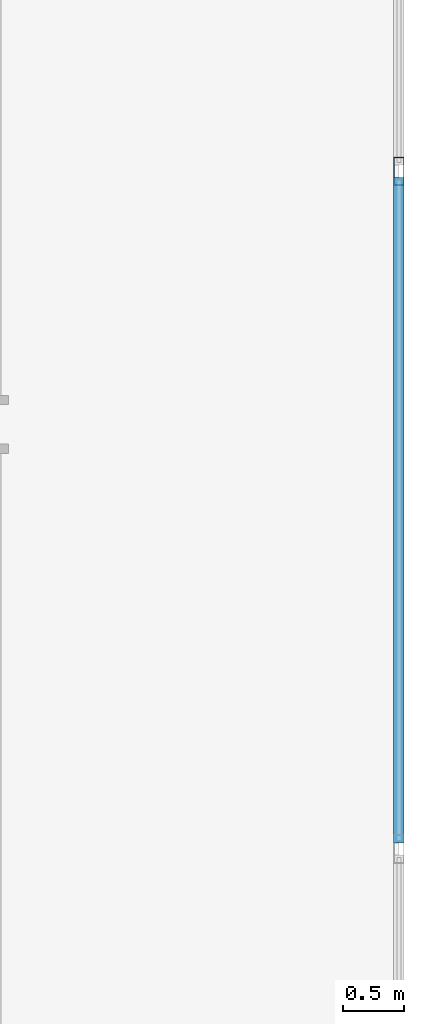
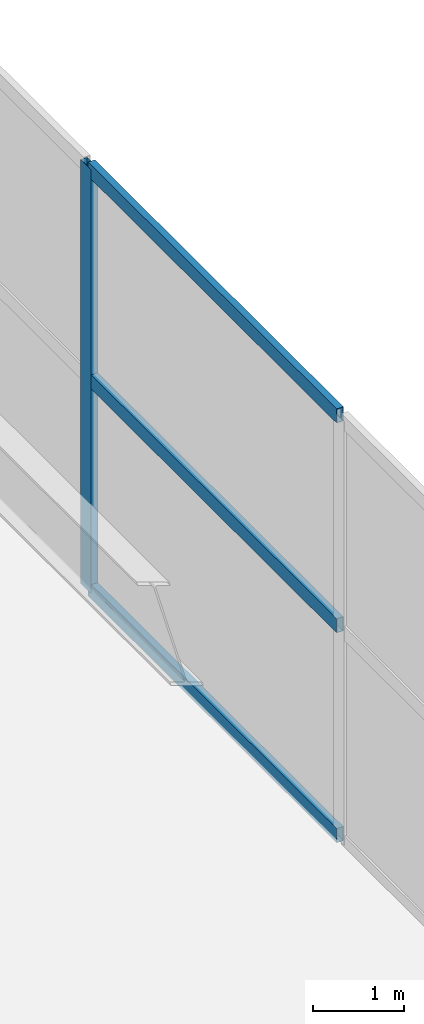
# One storey, part 12 of 21: 4 members, 1 element without a shape of its own.
"""IFC4 building model written with IfcOpenShell, lengths in metres."""

from ifc_helpers import new_model, si_unit, direction, frame, origin, origin_2d, place, context, subcontext, project, spatial, hollow_rectangle, extrude, material, material_profile, profile_set, type_object, element, aggregate, save


model = new_model("IFC4")

# Units and contexts
model_context = context("Model", 3, precision=1e-05, world=origin(), true_north=direction((0.0, 1.0)))
body_context = subcontext(model_context, "Body", "Model", "MODEL_VIEW")
ifc_project = project(units=[si_unit("LENGTHUNIT", "METRE"), si_unit("AREAUNIT", "SQUARE_METRE"), si_unit("VOLUMEUNIT", "CUBIC_METRE"), si_unit("PLANEANGLEUNIT", "RADIAN"), si_unit("MASSUNIT", "GRAM", prefix="KILO")], contexts=[model_context])

# Site, building, storey
site_placement = place(None, origin())
site = spatial("IfcSite", under=ifc_project, at=site_placement, CompositionType="ELEMENT")
building_placement = place(site_placement, origin())
building = spatial("IfcBuilding", under=site, at=building_placement, Name="Kovane Verandah Tower", CompositionType="ELEMENT")
storey_placement = place(building_placement, frame((0.0, 0.0, 342.800048828125)))
storey = spatial("IfcBuildingStorey", under=building, at=storey_placement, Name="L80", CompositionType="ELEMENT", Elevation=342.800048828125)

# Curtain wall, members
ifc_material_1 = material(Name="Champagne Anodised Aluminium Frame with Low-E Clear Laminated Glass", Category="aluminium")
curtain_wall_type = type_object("IfcCurtainWallType", Name="CW-SYS-06-CROWN", PredefinedType="NOTDEFINED", material=ifc_material_1)
curtain_wall_placement = place(storey_placement, origin())
curtain_wall = element("IfcCurtainWall", 1, at=curtain_wall_placement, inside=storey, type_object=curtain_wall_type, Name="L80 E Unitised Curtain Wall", PredefinedType="NOTDEFINED")
ifc_material_2 = material(Name="Champagne Anodised Aluminium 6063-T6", Category="aluminium")
ifc_material_profile_1 = material_profile(ifc_material_2, hollow_rectangle(XDim=0.0849609375, YDim=0.22998046875, WallThickness=0.00390625, at=origin_2d()), Name="AL85x230x4")
ifc_profile_set_1 = profile_set([ifc_material_profile_1], Name="Champagne Anodised Aluminium 6063-T6")
member_type_1 = type_object("IfcMemberType", Name="CW-MUL-85x230", PredefinedType="MULLION", material=ifc_profile_set_1)
member_1_placement = place(storey_placement, frame((61.800048828125, 38.566650390625, 0.02001953125), z_axis=(0.0, 0.0, 1.0), x_axis=(1.0, 0.0, 0.0)))
member_1 = element("IfcMember", 2, at=member_1_placement, type_object=member_type_1, Name="L80 E Unitised Curtain Wall Mullion 6", PredefinedType="MULLION", context=body_context, shape_type="SweptSolid", body=[
    extrude(hollow_rectangle(XDim=0.0849609375, YDim=0.22998046875, WallThickness=0.00390625, at=origin_2d()), origin(), (0.0, 0.0, 1.0), 5.659912109375),
])
ifc_material_profile_2 = material_profile(ifc_material_2, hollow_rectangle(XDim=0.0849609375, YDim=0.18994140625, WallThickness=0.00390625, at=origin_2d()), Name="AL85x190x4")
ifc_profile_set_2 = profile_set([ifc_material_profile_2], Name="Champagne Anodised Aluminium 6063-T6")
member_type_2 = type_object("IfcMemberType", Name="CW-TRN-85x190", PredefinedType="USERDEFINED", material=ifc_profile_set_2)
member_2_placement = place(storey_placement, frame((61.800048828125, 33.083251953125, 0.050048828125), z_axis=(0.0, 1.0, 0.0), x_axis=(-1.0, 0.0, 0.0)))
member_2 = element("IfcMember", 3, at=member_2_placement, type_object=member_type_2, Name="L80 E Unitised Curtain Wall Transom TB Bay 5", ObjectType="TRANSOM", PredefinedType="USERDEFINED", context=body_context, shape_type="SweptSolid", body=[
    extrude(hollow_rectangle(XDim=0.0849609375, YDim=0.18994140625, WallThickness=0.00390625, at=origin_2d()), origin(), (0.0, 0.0, 1.0), 5.433349609375),
])
member_3_placement = place(storey_placement, frame((61.800048828125, 33.083251953125, 2.849853515625), z_axis=(0.0, 1.0, 0.0), x_axis=(-1.0, 0.0, 0.0)))
member_3 = element("IfcMember", 4, at=member_3_placement, type_object=member_type_2, Name="L80 E Unitised Curtain Wall Transom TM Bay 5", ObjectType="TRANSOM", PredefinedType="USERDEFINED", context=body_context, shape_type="SweptSolid", body=[
    extrude(hollow_rectangle(XDim=0.0849609375, YDim=0.18994140625, WallThickness=0.00390625, at=origin_2d()), origin(), (0.0, 0.0, 1.0), 5.433349609375),
])
member_4_placement = place(storey_placement, frame((61.800048828125, 33.083251953125, 5.64990234375), z_axis=(0.0, 1.0, 0.0), x_axis=(-1.0, 0.0, 0.0)))
member_4 = element("IfcMember", 5, at=member_4_placement, type_object=member_type_2, Name="L80 E Unitised Curtain Wall Transom TT Bay 5", ObjectType="TRANSOM", PredefinedType="USERDEFINED", context=body_context, shape_type="SweptSolid", body=[
    extrude(hollow_rectangle(XDim=0.0849609375, YDim=0.18994140625, WallThickness=0.00390625, at=origin_2d()), origin(), (0.0, 0.0, 1.0), 5.433349609375),
])
aggregate(curtain_wall, [member_1, member_2, member_3, member_4])

save(model, "model.ifc")
